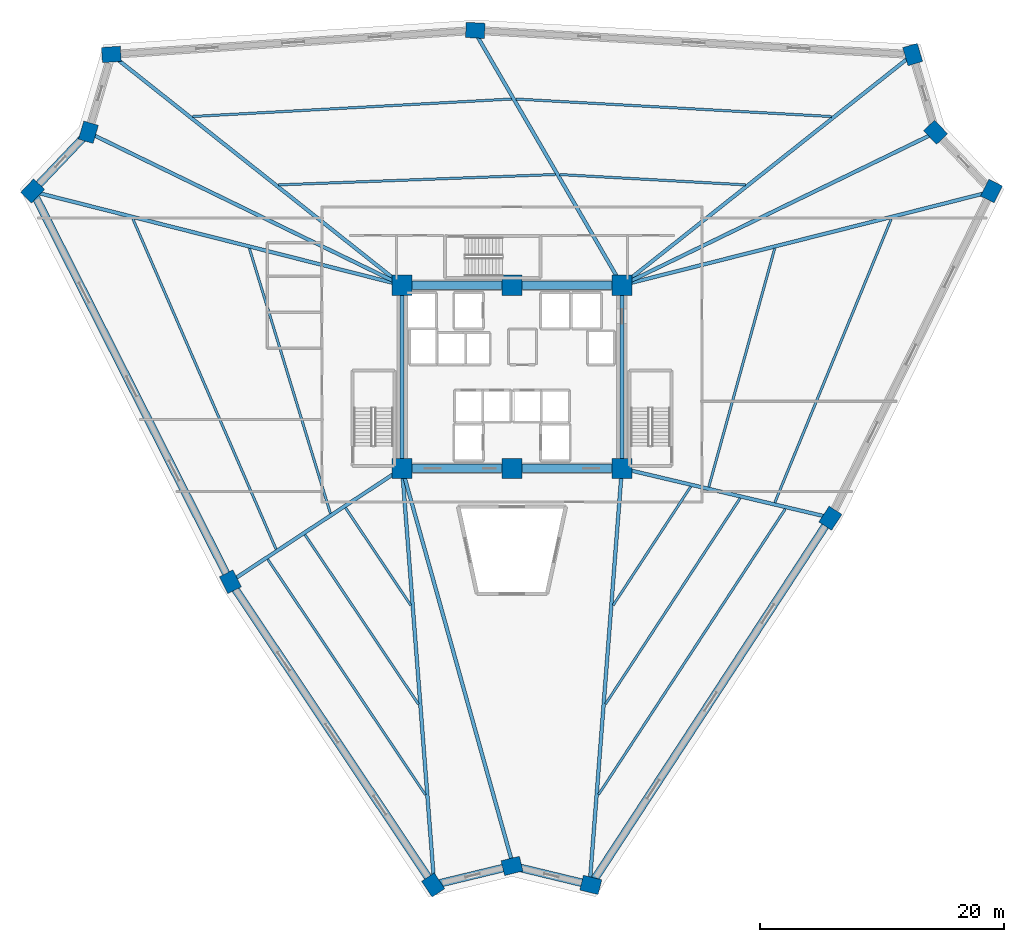
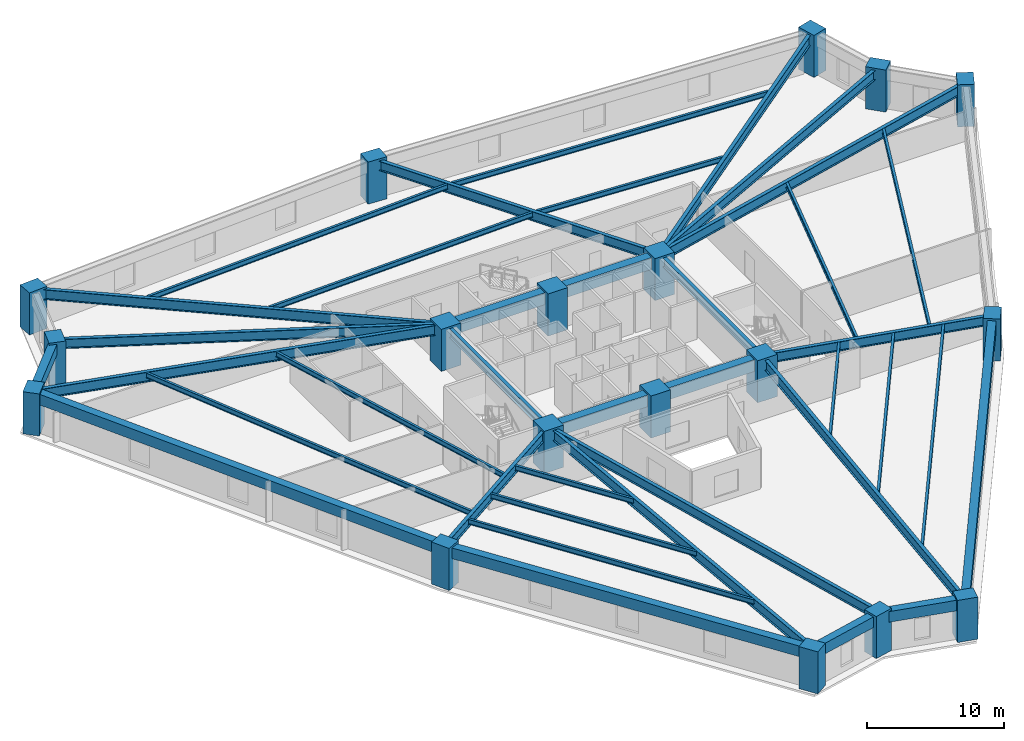
# One storey, part 1 of 8: 38 beams, 18 columns.
"""IFC4 building model written with IfcOpenShell, lengths in metres."""

import ifcopenshell
import ifcopenshell.guid

model = None  # the IFC model being written
_history = None  # IfcOwnerHistory: only IFC2X3 demands one
_inside = {}  # id of a spatial element -> (the spatial element, [elements in it])
_under = {}  # id of a project, library or spatial element -> (it, [spatial elements below it])
_declared = {}  # id of a project -> (the project, [libraries it declares])
_typed = {}  # id of a type object -> (the type object, [elements of that type])
_made_of = {}  # id of a material, layer set ... -> (it, [elements and type objects made of it])


def new_model(schema):
    """Start an empty IFC model of exactly this schema.

    Asked for "IFC4X3", IfcOpenShell would pick the latest addendum, in which some entities
    have other attributes; the version numbers below select the first issue.
    IFC2X3 requires an IfcOwnerHistory on every rooted entity: one is made here for all.
    """
    global model, _history
    if schema == "IFC4X3":
        model = ifcopenshell.file(schema_version=(4, 3, 0, 0))
    else:
        model = ifcopenshell.file(schema=schema)
    _inside.clear()
    _under.clear()
    _declared.clear()
    _typed.clear()
    _made_of.clear()
    _history = None
    if model.schema == "IFC2X3":
        org = make("IfcOrganization", Name="unknown")
        user = make(
            "IfcPersonAndOrganization",
            ThePerson=make("IfcPerson", FamilyName="unknown"),
            TheOrganization=org,
        )
        app = make(
            "IfcApplication",
            ApplicationDeveloper=org,
            Version="unknown",
            ApplicationFullName="unknown",
            ApplicationIdentifier="unknown",
        )
        _history = make(
            "IfcOwnerHistory",
            OwningUser=user,
            OwningApplication=app,
            ChangeAction="ADDED",
            CreationDate=0,
        )
    return model


def make(cls, **values):
    """One entity of the class cls with the attributes given. An attribute that is None is left unset."""
    return model.create_entity(
        cls, **{name: value for name, value in values.items() if value is not None}
    )


def rooted(cls, **values):
    """An entity with a GlobalId (a new one), such as an element, a storey or a relation."""
    return make(cls, GlobalId=ifcopenshell.guid.new(), OwnerHistory=_history, **values)


def si_unit(unit_type, name, prefix=None):
    """IfcSIUnit, for example si_unit("LENGTHUNIT", "METRE", prefix="MILLI")."""
    return make("IfcSIUnit", UnitType=unit_type, Prefix=prefix, Name=name)


def assignment(units):
    """IfcUnitAssignment: the units of a project."""
    return None if units is None else make("IfcUnitAssignment", Units=units)


def point(xyz):
    """IfcCartesianPoint."""
    return None if xyz is None else make("IfcCartesianPoint", Coordinates=xyz)


def direction(xyz):
    """IfcDirection."""
    return None if xyz is None else make("IfcDirection", DirectionRatios=xyz)


def frame(location, z_axis=None, x_axis=None):
    """IfcAxis2Placement3D, a coordinate frame: its origin and axes. An axis left out is left unset."""
    return make(
        "IfcAxis2Placement3D",
        Location=point(location),
        Axis=direction(z_axis),
        RefDirection=direction(x_axis),
    )


def frame_2d(location, x_axis=None):
    """IfcAxis2Placement2D, a coordinate frame in the plane: its origin and x axis."""
    return make(
        "IfcAxis2Placement2D", Location=point(location), RefDirection=direction(x_axis)
    )


def origin():
    """The frame at (0, 0, 0) with its axes left unset."""
    return frame((0.0, 0.0, 0.0))


def origin_2d():
    """The frame at (0, 0) in the plane with its x axis left unset."""
    return frame_2d((0.0, 0.0))


def place(relative_to, where):
    """IfcLocalPlacement: puts the frame where relative to a parent placement (None: the world)."""
    return make(
        "IfcLocalPlacement", PlacementRelTo=relative_to, RelativePlacement=where
    )


def context(
    kind, dimensions, precision=None, world=None, true_north=None, identifier=None
):
    """IfcGeometricRepresentationContext, for example the 3D "Model" context."""
    return make(
        "IfcGeometricRepresentationContext",
        ContextIdentifier=identifier,
        ContextType=kind,
        CoordinateSpaceDimension=dimensions,
        Precision=precision,
        WorldCoordinateSystem=world,
        TrueNorth=true_north,
    )


def subcontext(parent, identifier, kind, view, scale=None):
    """IfcGeometricRepresentationSubContext, for example "Body" below "Model"."""
    return make(
        "IfcGeometricRepresentationSubContext",
        ContextIdentifier=identifier,
        ContextType=kind,
        ParentContext=parent,
        TargetScale=scale,
        TargetView=view,
    )


def project(units=None, contexts=None):
    """IfcProject with its units and contexts."""
    return rooted(
        "IfcProject",
        Name="project",
        RepresentationContexts=contexts,
        UnitsInContext=assignment(units),
    )


def spatial(cls, under=None, at=None, **own):
    """A site, building, storey or space (cls), placed at a placement, below another one or the project."""
    s = rooted(cls, ObjectPlacement=at, **own)
    if under is not None:
        _under.setdefault(under.id(), (under, []))[1].append(s)
    return s


def profile(cls, at=None, kind="AREA", **sizes):
    """A parametric profile (cls). Its sizes go by their IFC names, for example OverallWidth=200.0."""
    return make(cls, ProfileType=kind, Position=at, **sizes)


def rectangle(**sizes):
    """IfcRectangleProfileDef."""
    return profile("IfcRectangleProfileDef", **sizes)


def i_section(**sizes):
    """IfcIShapeProfileDef."""
    return profile("IfcIShapeProfileDef", **sizes)


def extrude(swept, where, along, depth):
    """IfcExtrudedAreaSolid: the profile swept, set in the frame where, extruded along a direction by depth."""
    return make(
        "IfcExtrudedAreaSolid",
        SweptArea=swept,
        Position=where,
        ExtrudedDirection=direction(along),
        Depth=depth,
    )


def shape(context_of_items, identifier, shape_type, items):
    """IfcShapeRepresentation: the items that make up one representation, for example the "Body"."""
    return make(
        "IfcShapeRepresentation",
        ContextOfItems=context_of_items,
        RepresentationIdentifier=identifier,
        RepresentationType=shape_type,
        Items=items,
    )


def source(mapping_origin, context_of_items, identifier, shape_type, items):
    """IfcRepresentationMap: a shape defined once, which mapped items show again and again."""
    return make(
        "IfcRepresentationMap",
        MappingOrigin=mapping_origin,
        MappedRepresentation=shape(context_of_items, identifier, shape_type, items),
    )


def transform(
    local_origin,
    x_axis=None,
    y_axis=None,
    z_axis=None,
    scale=None,
    scale2=None,
    scale3=None,
    uniform=True,
):
    """IfcCartesianTransformationOperator3D, or its non-uniform kind. x_axis, y_axis, z_axis: its Axis1, 2, 3."""
    if uniform:
        return make(
            "IfcCartesianTransformationOperator3D",
            Axis1=direction(x_axis),
            Axis2=direction(y_axis),
            LocalOrigin=point(local_origin),
            Scale=scale,
            Axis3=direction(z_axis),
        )
    return make(
        "IfcCartesianTransformationOperator3DnonUniform",
        Axis1=direction(x_axis),
        Axis2=direction(y_axis),
        LocalOrigin=point(local_origin),
        Scale=scale,
        Axis3=direction(z_axis),
        Scale2=scale2,
        Scale3=scale3,
    )


def mapped(mapping_source, mapping_target):
    """IfcMappedItem: shows the shape of a source again, moved by a transform."""
    return make(
        "IfcMappedItem", MappingSource=mapping_source, MappingTarget=mapping_target
    )


def material(Name=None, Category=None):
    """IfcMaterial."""
    return make("IfcMaterial", Name=Name, Category=Category)


def material_profile(
    of_material, cross_section, Name=None, Category=None, Priority=None
):
    """IfcMaterialProfile: a cross section and its material."""
    return make(
        "IfcMaterialProfile",
        Name=Name,
        Material=of_material,
        Profile=cross_section,
        Priority=Priority,
        Category=Category,
    )


def profile_set(profiles, Name=None, composite=None):
    """IfcMaterialProfileSet."""
    return make(
        "IfcMaterialProfileSet",
        Name=Name,
        MaterialProfiles=profiles,
        CompositeProfile=composite,
    )


def made_of(thing, what):
    """Note that an element or type object is made of a material, layer set ...; save() writes the relation."""
    if what is not None:
        _made_of.setdefault(what.id(), (what, []))[1].append(thing)
    return thing


def type_object(cls, material=None, **own):
    """A type object (cls), such as IfcWallType, which elements share."""
    return made_of(rooted(cls, **own), material)


def element(
    cls,
    number,
    at=None,
    inside=None,
    cuts=None,
    type_object=None,
    material=None,
    context=None,
    identifier="Body",
    shape_type=None,
    held_by="IfcProductDefinitionShape",
    body=None,
    shapes=None,
    **own,
):
    """One element of the class cls, such as IfcWall. Its Tag is "e" and its number.

    at: its placement. inside: the storey or other place that contains it. cuts: it is an
    opening in that element (IfcRelVoidsElement). A single representation is given by context,
    identifier, shape_type and body (its items); several are given by shapes. held_by: the class
    of the entity that holds the representations. save() writes the other relations.
    """
    e = rooted(cls, Tag="e%d" % number, ObjectPlacement=at, **own)
    if body is not None:
        shapes = [shape(context, identifier, shape_type, body)]
    if shapes is not None:
        e.Representation = make(held_by, Representations=shapes)
    if inside is not None:
        _inside.setdefault(inside.id(), (inside, []))[1].append(e)
    if cuts is not None:
        rooted(
            "IfcRelVoidsElement", RelatingBuildingElement=cuts, RelatedOpeningElement=e
        )
    if type_object is not None:
        _typed.setdefault(type_object.id(), (type_object, []))[1].append(e)
    return made_of(e, material)


def aggregate(whole, parts):
    """IfcRelAggregates: a whole, such as a stair, and the parts it consists of."""
    return rooted("IfcRelAggregates", RelatingObject=whole, RelatedObjects=parts)


def save(model, path):
    """Write the relations noted so far, then the file.

    IfcRelAggregates (storeys below a building ...), IfcRelContainedInSpatialStructure (elements
    in a storey), IfcRelDefinesByType, IfcRelAssociatesMaterial and IfcRelDeclares: one each for
    every whole, place, type object, material and project.
    """
    for whole, parts in _under.values():
        aggregate(whole, parts)
    for where, things in _inside.values():
        rooted(
            "IfcRelContainedInSpatialStructure",
            RelatedElements=things,
            RelatingStructure=where,
        )
    for kind, things in _typed.values():
        rooted("IfcRelDefinesByType", RelatedObjects=things, RelatingType=kind)
    for what, things in _made_of.values():
        rooted("IfcRelAssociatesMaterial", RelatedObjects=things, RelatingMaterial=what)
    for by, libraries in _declared.values():
        rooted("IfcRelDeclares", RelatingContext=by, RelatedDefinitions=libraries)
    model.write(path)


model = new_model("IFC4")

# Units and contexts
model_context = context("Model", 3, precision=1e-05, world=origin(), true_north=direction((0.0, 1.0)))
body_context = subcontext(model_context, "Body", "Model", "MODEL_VIEW")
ifc_project = project(units=[si_unit("LENGTHUNIT", "METRE"), si_unit("AREAUNIT", "SQUARE_METRE"), si_unit("VOLUMEUNIT", "CUBIC_METRE"), si_unit("PLANEANGLEUNIT", "RADIAN"), si_unit("MASSUNIT", "GRAM", prefix="KILO")], contexts=[model_context])

# Site, building, storey
site_placement = place(None, origin())
site = spatial("IfcSite", under=ifc_project, at=site_placement, CompositionType="ELEMENT")
building_placement = place(site_placement, origin())
building = spatial("IfcBuilding", under=site, at=building_placement, Name="Liaohun Quay Tower", CompositionType="ELEMENT")
storey_placement = place(building_placement, frame((0.0, 0.0, 36.0)))
storey = spatial("IfcBuildingStorey", under=building, at=storey_placement, Name="L09", CompositionType="ELEMENT", Elevation=36.0)

# Columns
ifc_material_1 = material(Name="Concrete C60", Category="concrete")
ifc_material_profile_1 = material_profile(ifc_material_1, rectangle(XDim=1.64990234375, YDim=1.64990234375, at=origin_2d()), Name="RC1650x1650")
ifc_profile_set_1 = profile_set([ifc_material_profile_1], Name="Concrete C60")
column_type_1 = type_object("IfcColumnType", Name="COL-CC-Z1", PredefinedType="COLUMN", material=ifc_profile_set_1)
shared_shape_1 = source(origin(), body_context, "Body", "SweptSolid", [
    extrude(rectangle(XDim=1.64990234375, YDim=1.64990234375, at=origin_2d()), origin(), (0.0, 0.0, 1.0), 3.75),
])
for number, where, z_axis, x_axis, name in (
    (1, (51.0, 46.5, 0.0), (0.0, 0.0, 1.0), (1.0, 0.0, 0.0), "L09 Core Column CC1"),
    (2, (60.0, 46.5, 0.0), (0.0, 0.0, 1.0), (1.0, 0.0, 0.0), "L09 Core Column CC2"),
    (3, (69.0, 46.5, 0.0), (0.0, 0.0, 1.0), (1.0, 0.0, 0.0), "L09 Core Column CC3"),
    (4, (69.0, 61.5, 0.0), (0.0, 0.0, 1.0), (1.0, 0.0, 0.0), "L09 Core Column CC4"),
    (5, (60.0, 61.5, 0.0), (0.0, 0.0, 1.0), (1.0, 0.0, 0.0), "L09 Core Column CC5"),
    (6, (51.0, 61.5, 0.0), (0.0, 0.0, 1.0), (1.0, 0.0, 0.0), "L09 Core Column CC6"),
):
    element("IfcColumn", number, at=place(storey_placement, frame(where, z_axis=z_axis, x_axis=x_axis)), inside=storey, type_object=column_type_1, Name=name, PredefinedType="COLUMN", context=body_context, shape_type="MappedRepresentation", body=[
        mapped(shared_shape_1, transform((0.0, 0.0, 0.0), x_axis=(1.0, 0.0, 0.0), y_axis=(0.0, 1.0, 0.0), z_axis=(0.0, 0.0, 1.0), scale=1.0)),
    ])
ifc_material_profile_2 = material_profile(ifc_material_1, rectangle(XDim=1.550048828125, YDim=1.25, at=origin_2d()), Name="RC1550x1250")
ifc_profile_set_2 = profile_set([ifc_material_profile_2], Name="Concrete C60")
column_type_2 = type_object("IfcColumnType", Name="COL-PIER-Z1", PredefinedType="COLUMN", material=ifc_profile_set_2)
shared_shape_2 = source(origin(), body_context, "Body", "SweptSolid", [
    extrude(rectangle(XDim=1.550048828125, YDim=1.25, at=origin_2d()), origin(), (0.0, 0.0, 1.0), 3.75),
])
for number, where, z_axis, x_axis, name in (
    (7, (53.5458984375, 12.39697265625, 0.0), (0.0, 0.0, 1.0), (-0.556005513314, 0.831178602446, 0.0), "L09 Perimeter Pier PC01"),
    (8, (36.94091796875, 37.217041015625, 0.0), (0.0, 0.0, 1.0), (-0.451500573218, 0.892270829056, 0.0), "L09 Perimeter Pier PC02"),
    (9, (20.748046875, 69.217041015625, 0.0), (0.0, 0.0, 1.0), (0.68936671806, 0.724412539946, 0.0), "L09 Perimeter Pier PC03"),
    (10, (25.321044921875, 74.02197265625, 0.0), (0.0, 0.0, 1.0), (0.282676303383, 0.959215360337, 0.0), "L09 Perimeter Pier PC04"),
    (11, (27.198974609375, 80.39111328125, 0.0), (0.0, 0.0, 1.0), (0.997824541457, 0.065925597951, 0.0), "L09 Perimeter Pier PC05"),
    (12, (56.9951171875, 82.360107421875, 0.0), (0.0, 0.0, 1.0), (-0.998479491627, 0.055124448298, 0.0), "L09 Perimeter Pier PC06"),
    (13, (92.802978515625, 80.384033203125, 0.0), (0.0, 0.0, 1.0), (-0.282676303383, 0.959215360337, 0.0), "L09 Perimeter Pier PC07"),
    (14, (94.678955078125, 74.02197265625, 0.0), (0.0, 0.0, 1.0), (-0.68936671806, 0.724412539946, 0.0), "L09 Perimeter Pier PC08"),
    (15, (99.256103515625, 69.2119140625, 0.0), (0.0, 0.0, 1.0), (0.441819028143, 0.897104200397, 0.0), "L09 Perimeter Pier PC09"),
    (16, (86.06396484375, 42.423095703125, 0.0), (0.0, 0.0, 1.0), (0.546978918409, 0.837146380758, 0.0), "L09 Perimeter Pier PC10"),
    (17, (66.447998046875, 12.39892578125, 0.0), (0.0, 0.0, 1.0), (-0.972043021443, 0.234802820391, 0.0), "L09 Perimeter Pier PC11"),
    (18, (60.0, 13.9560546875, 0.0), (0.0, 0.0, 1.0), (0.972043021443, 0.234802820391, 0.0), "L09 Perimeter Pier PC12"),
):
    element("IfcColumn", number, at=place(storey_placement, frame(where, z_axis=z_axis, x_axis=x_axis)), inside=storey, type_object=column_type_2, Name=name, PredefinedType="COLUMN", context=body_context, shape_type="MappedRepresentation", body=[
        mapped(shared_shape_2, transform((0.0, 0.0, 0.0), x_axis=(1.0, 0.0, 0.0), y_axis=(0.0, 1.0, 0.0), z_axis=(0.0, 0.0, 1.0), scale=1.0)),
    ])

# Beams
ifc_material_profile_3 = material_profile(ifc_material_1, rectangle(XDim=0.699951171875, YDim=1.050048828125, at=origin_2d()), Name="RC700x1050")
ifc_profile_set_3 = profile_set([ifc_material_profile_3], Name="Concrete C60")
beam_type_1 = type_object("IfcBeamType", Name="BM-CPL-1", PredefinedType="LINTEL", material=ifc_profile_set_3)
shared_shape_3 = source(origin(), body_context, "Body", "SweptSolid", [
    extrude(rectangle(XDim=0.699951171875, YDim=1.050048828125, at=origin_2d()), origin(), (0.0, 0.0, 1.0), 9.0),
])
for number, where, z_axis, x_axis, name in (
    (19, (51.0, 46.5, 3.044921875), (1.0, 0.0, 0.0), (0.0, 1.0, 0.0), "L09 Core Coupling/Ring Beam CC1-CC2"),
    (20, (60.0, 46.5, 3.044921875), (1.0, 0.0, 0.0), (0.0, 1.0, 0.0), "L09 Core Coupling/Ring Beam CC2-CC3"),
    (21, (69.0, 61.5, 3.044921875), (-1.0, 0.0, 0.0), (0.0, -1.0, 0.0), "L09 Core Coupling/Ring Beam CC4-CC5"),
    (22, (60.0, 61.5, 3.044921875), (-1.0, 0.0, 0.0), (0.0, -1.0, 0.0), "L09 Core Coupling/Ring Beam CC5-CC6"),
):
    element("IfcBeam", number, at=place(storey_placement, frame(where, z_axis=z_axis, x_axis=x_axis)), inside=storey, type_object=beam_type_1, Name=name, PredefinedType="LINTEL", context=body_context, shape_type="MappedRepresentation", body=[
        mapped(shared_shape_3, transform((0.0, 0.0, 0.0), x_axis=(1.0, 0.0, 0.0), y_axis=(0.0, 1.0, 0.0), z_axis=(0.0, 0.0, 1.0), scale=1.0)),
    ])
ifc_material_2 = material(Name="Steel Q355D", Category="steel")
ifc_material_profile_4 = material_profile(ifc_material_2, i_section(OverallWidth=0.300048828125, OverallDepth=0.800048828125, WebThickness=0.013916015625, FlangeThickness=0.02587890625, at=origin_2d()), Name="HN800x300x14x26")
ifc_profile_set_4 = profile_set([ifc_material_profile_4], Name="Steel Q355D")
beam_type_2 = type_object("IfcBeamType", Name="BM-RAD-M1", PredefinedType="BEAM", material=ifc_profile_set_4)
shared_shape_4 = source(origin(), body_context, "Body", "SweptSolid", [
    extrude(i_section(OverallWidth=0.300048828125, OverallDepth=0.800048828125, WebThickness=0.013916015625, FlangeThickness=0.02587890625, at=origin_2d()), origin(), (0.0, 0.0, 1.0), 15.0),
])
for number, where, z_axis, x_axis, name in (
    (23, (69.0, 46.5, 3.169921875), (0.0, 1.0, 0.0), (-1.0, 0.0, 0.0), "L09 Core Coupling/Ring Beam CC3-CC4"),
    (24, (51.0, 61.5, 3.169921875), (0.0, -1.0, 0.0), (1.0, 0.0, 0.0), "L09 Core Coupling/Ring Beam CC6-CC1"),
):
    element("IfcBeam", number, at=place(storey_placement, frame(where, z_axis=z_axis, x_axis=x_axis)), inside=storey, type_object=beam_type_2, Name=name, PredefinedType="BEAM", context=body_context, shape_type="MappedRepresentation", body=[
        mapped(shared_shape_4, transform((0.0, 0.0, 0.0), x_axis=(1.0, 0.0, 0.0), y_axis=(0.0, 1.0, 0.0), z_axis=(0.0, 0.0, 1.0), scale=1.0)),
    ])
ifc_material_3 = material(Name="Precast concrete C55", Category="concrete")
ifc_material_profile_5 = material_profile(ifc_material_3, rectangle(XDim=0.64990234375, YDim=0.949951171875, at=origin_2d()), Name="RC650x950")
ifc_profile_set_5 = profile_set([ifc_material_profile_5], Name="Precast concrete C55")
beam_type_3 = type_object("IfcBeamType", Name="BM-SPD-Z1", PredefinedType="SPANDREL", material=ifc_profile_set_5)
shared_shape_5 = source(origin(), body_context, "Body", "SweptSolid", [
    extrude(rectangle(XDim=0.64990234375, YDim=0.949951171875, at=origin_2d()), origin(), (0.0, 0.0, 1.0), 29.8623046875),
])
beam_1_placement = place(storey_placement, frame((53.5458984375, 12.39697265625, 3.094970703125), z_axis=(-0.556050313847, 0.831148631997, 0.0), x_axis=(-0.831148631997, -0.556050313847, 0.0)))
element("IfcBeam", 25, at=beam_1_placement, inside=storey, type_object=beam_type_3, Name="L09 Precast Spandrel Beam PC01-PC02", PredefinedType="SPANDREL", context=body_context, shape_type="MappedRepresentation", body=[
    mapped(shared_shape_5, transform((0.0, 0.0, 0.0), x_axis=(1.0, 0.0, 0.0), y_axis=(0.0, 1.0, 0.0), z_axis=(0.0, 0.0, 1.0), scale=1.0)),
])
shared_shape_6 = source(origin(), body_context, "Body", "SweptSolid", [
    extrude(rectangle(XDim=0.64990234375, YDim=0.949951171875, at=origin_2d()), origin(), (0.0, 0.0, 1.0), 35.86376953125),
])
beam_2_placement = place(storey_placement, frame((36.94091796875, 37.217041015625, 3.094970703125), z_axis=(-0.451510728303, 0.892265690379, 0.0), x_axis=(-0.892265690379, -0.451510728303, 0.0)))
element("IfcBeam", 26, at=beam_2_placement, inside=storey, type_object=beam_type_3, Name="L09 Precast Spandrel Beam PC02-PC03", PredefinedType="SPANDREL", context=body_context, shape_type="MappedRepresentation", body=[
    mapped(shared_shape_6, transform((0.0, 0.0, 0.0), x_axis=(1.0, 0.0, 0.0), y_axis=(0.0, 1.0, 0.0), z_axis=(0.0, 0.0, 1.0), scale=1.0)),
])
shared_shape_7 = source(origin(), body_context, "Body", "SweptSolid", [
    extrude(rectangle(XDim=0.64990234375, YDim=0.949951171875, at=origin_2d()), origin(), (0.0, 0.0, 1.0), 6.63330078125),
])
for number, where, z_axis, x_axis, name in (
    (27, (20.748046875, 69.217041015625, 3.094970703125), (0.689407908081, 0.724373340395, 0.0), (-0.724373340395, 0.689407908081, 0.0), "L09 Precast Spandrel Beam PC03-PC04"),
    (28, (66.447998046875, 12.39892578125, 3.094970703125), (-0.97205759762, 0.234742469335, 0.0), (-0.234742469335, -0.97205759762, 0.0), "L09 Precast Spandrel Beam PC11-PC12"),
):
    element("IfcBeam", number, at=place(storey_placement, frame(where, z_axis=z_axis, x_axis=x_axis)), inside=storey, type_object=beam_type_3, Name=name, PredefinedType="SPANDREL", context=body_context, shape_type="MappedRepresentation", body=[
        mapped(shared_shape_7, transform((0.0, 0.0, 0.0), x_axis=(1.0, 0.0, 0.0), y_axis=(0.0, 1.0, 0.0), z_axis=(0.0, 0.0, 1.0), scale=1.0)),
    ])
shared_shape_8 = source(origin(), body_context, "Body", "SweptSolid", [
    extrude(rectangle(XDim=0.64990234375, YDim=0.949951171875, at=origin_2d()), origin(), (0.0, 0.0, 1.0), 35.8642578125),
])
beam_3_placement = place(storey_placement, frame((86.06396484375, 42.423095703125, 3.094970703125), z_axis=(-0.546952019075, -0.837163955764, 0.0), x_axis=(0.837163955764, -0.546952019075, 0.0)))
element("IfcBeam", 29, at=beam_3_placement, inside=storey, type_object=beam_type_3, Name="L09 Precast Spandrel Beam PC10-PC11", PredefinedType="SPANDREL", context=body_context, shape_type="MappedRepresentation", body=[
    mapped(shared_shape_8, transform((0.0, 0.0, 0.0), x_axis=(1.0, 0.0, 0.0), y_axis=(0.0, 1.0, 0.0), z_axis=(0.0, 0.0, 1.0), scale=1.0)),
])
shared_shape_9 = source(origin(), body_context, "Body", "SweptSolid", [
    extrude(rectangle(XDim=0.64990234375, YDim=0.949951171875, at=origin_2d()), origin(), (0.0, 0.0, 1.0), 6.6396484375),
])
beam_4_placement = place(storey_placement, frame((60.0, 13.9560546875, 3.094970703125), z_axis=(-0.972041127414, -0.234810661207, 0.0), x_axis=(0.234810661207, -0.972041127414, 0.0)))
element("IfcBeam", 30, at=beam_4_placement, inside=storey, type_object=beam_type_3, Name="L09 Precast Spandrel Beam PC12-PC01", PredefinedType="SPANDREL", context=body_context, shape_type="MappedRepresentation", body=[
    mapped(shared_shape_9, transform((0.0, 0.0, 0.0), x_axis=(1.0, 0.0, 0.0), y_axis=(0.0, 1.0, 0.0), z_axis=(0.0, 0.0, 1.0), scale=1.0)),
])
ifc_material_4 = material(Name="Steel Q420D", Category="steel")
ifc_material_profile_6 = material_profile(ifc_material_4, i_section(OverallWidth=0.300048828125, OverallDepth=0.89990234375, WebThickness=0.01611328125, FlangeThickness=0.028076171875, at=origin_2d()), Name="HN900x300x16x28")
ifc_profile_set_6 = profile_set([ifc_material_profile_6], Name="Steel Q420D")
beam_type_4 = type_object("IfcBeamType", Name="BM-RAD-H1", PredefinedType="BEAM", material=ifc_profile_set_6)
shared_shape_10 = source(origin(), body_context, "Body", "SweptSolid", [
    extrude(i_section(OverallWidth=0.300048828125, OverallDepth=0.89990234375, WebThickness=0.01611328125, FlangeThickness=0.028076171875, at=origin_2d()), origin(), (0.0, 0.0, 1.0), 33.820556640625),
])
beam_5_placement = place(storey_placement, frame((51.0, 46.5, 3.1201171875), z_axis=(0.07708124974, -0.997024814605, 0.0), x_axis=(0.997024814605, 0.07708124974, 0.0)))
element("IfcBeam", 31, at=beam_5_placement, inside=storey, type_object=beam_type_4, Name="L09 Radial Primary Girder CC1-PC01", PredefinedType="BEAM", context=body_context, shape_type="MappedRepresentation", body=[
    mapped(shared_shape_10, transform((0.0, 0.0, 0.0), x_axis=(1.0, 0.0, 0.0), y_axis=(0.0, 1.0, 0.0), z_axis=(0.0, 0.0, 1.0), scale=1.0)),
])
ifc_material_profile_7 = material_profile(ifc_material_2, i_section(OverallWidth=0.300048828125, OverallDepth=0.85009765625, WebThickness=0.01611328125, FlangeThickness=0.028076171875, at=origin_2d()), Name="HN850x300x16x28")
ifc_profile_set_7 = profile_set([ifc_material_profile_7], Name="Steel Q355D")
beam_type_5 = type_object("IfcBeamType", Name="BM-RAD-H2", PredefinedType="BEAM", material=ifc_profile_set_7)
shared_shape_11 = source(origin(), body_context, "Body", "SweptSolid", [
    extrude(i_section(OverallWidth=0.300048828125, OverallDepth=0.85009765625, WebThickness=0.01611328125, FlangeThickness=0.028076171875, at=origin_2d()), origin(), (0.0, 0.0, 1.0), 16.59619140625),
])
beam_6_placement = place(storey_placement, frame((51.0, 46.5, 3.14501953125), z_axis=(-0.83488415152, -0.550425702108, 0.0), x_axis=(0.550425702108, -0.83488415152, 0.0)))
element("IfcBeam", 32, at=beam_6_placement, inside=storey, type_object=beam_type_5, Name="L09 Radial Primary Girder CC1-PC02", PredefinedType="BEAM", context=body_context, shape_type="MappedRepresentation", body=[
    mapped(shared_shape_11, transform((0.0, 0.0, 0.0), x_axis=(1.0, 0.0, 0.0), y_axis=(0.0, 1.0, 0.0), z_axis=(0.0, 0.0, 1.0), scale=1.0)),
])
shared_shape_12 = source(origin(), body_context, "Body", "SweptSolid", [
    extrude(i_section(OverallWidth=0.300048828125, OverallDepth=0.89990234375, WebThickness=0.01611328125, FlangeThickness=0.028076171875, at=origin_2d()), origin(), (0.0, 0.0, 1.0), 30.83447265625),
])
beam_7_placement = place(storey_placement, frame((51.0, 61.5, 3.1201171875), z_axis=(-0.969330926687, 0.245759139338, 0.0), x_axis=(-0.245759139338, -0.969330926687, 0.0)))
element("IfcBeam", 33, at=beam_7_placement, inside=storey, type_object=beam_type_4, Name="L09 Radial Primary Girder CC6-PC03", PredefinedType="BEAM", context=body_context, shape_type="MappedRepresentation", body=[
    mapped(shared_shape_12, transform((0.0, 0.0, 0.0), x_axis=(1.0, 0.0, 0.0), y_axis=(0.0, 1.0, 0.0), z_axis=(0.0, 0.0, 1.0), scale=1.0)),
])
shared_shape_13 = source(origin(), body_context, "Body", "SweptSolid", [
    extrude(i_section(OverallWidth=0.300048828125, OverallDepth=0.85009765625, WebThickness=0.01611328125, FlangeThickness=0.028076171875, at=origin_2d()), origin(), (0.0, 0.0, 1.0), 28.2021484375),
])
for number, where, z_axis, x_axis, name in (
    (34, (51.0, 61.5, 3.14501953125), (-0.899227541375, 0.437481232548, 0.0), (-0.437481232548, -0.899227541375, 0.0), "L09 Radial Primary Girder CC6-PC04"),
    (35, (69.0, 61.5, 3.14501953125), (0.899227541375, 0.437481232548, 0.0), (-0.437481232548, 0.899227541375, 0.0), "L09 Radial Primary Girder CC4-PC08"),
):
    element("IfcBeam", number, at=place(storey_placement, frame(where, z_axis=z_axis, x_axis=x_axis)), inside=storey, type_object=beam_type_5, Name=name, PredefinedType="BEAM", context=body_context, shape_type="MappedRepresentation", body=[
        mapped(shared_shape_13, transform((0.0, 0.0, 0.0), x_axis=(1.0, 0.0, 0.0), y_axis=(0.0, 1.0, 0.0), z_axis=(0.0, 0.0, 1.0), scale=1.0)),
    ])
shared_shape_14 = source(origin(), body_context, "Body", "SweptSolid", [
    extrude(i_section(OverallWidth=0.300048828125, OverallDepth=0.89990234375, WebThickness=0.01611328125, FlangeThickness=0.028076171875, at=origin_2d()), origin(), (0.0, 0.0, 1.0), 29.998779296875),
])
beam_8_placement = place(storey_placement, frame((51.0, 61.5, 3.1201171875), z_axis=(-0.783366770609, 0.621559733819, 0.0), x_axis=(-0.621559733819, -0.783366770609, 0.0)))
element("IfcBeam", 36, at=beam_8_placement, inside=storey, type_object=beam_type_4, Name="L09 Radial Primary Girder CC6-PC05", PredefinedType="BEAM", context=body_context, shape_type="MappedRepresentation", body=[
    mapped(shared_shape_14, transform((0.0, 0.0, 0.0), x_axis=(1.0, 0.0, 0.0), y_axis=(0.0, 1.0, 0.0), z_axis=(0.0, 0.0, 1.0), scale=1.0)),
])
shared_shape_15 = source(origin(), body_context, "Body", "SweptSolid", [
    extrude(i_section(OverallWidth=0.300048828125, OverallDepth=0.85009765625, WebThickness=0.01611328125, FlangeThickness=0.028076171875, at=origin_2d()), origin(), (0.0, 0.0, 1.0), 23.8388671875),
])
beam_9_placement = place(storey_placement, frame((69.0, 61.5, 3.14501953125), z_axis=(-0.502458645143, 0.864601243303, 0.0), x_axis=(-0.864601243303, -0.502458645143, 0.0)))
element("IfcBeam", 37, at=beam_9_placement, inside=storey, type_object=beam_type_5, Name="L09 Radial Primary Girder CC4-PC06", PredefinedType="BEAM", context=body_context, shape_type="MappedRepresentation", body=[
    mapped(shared_shape_15, transform((0.0, 0.0, 0.0), x_axis=(1.0, 0.0, 0.0), y_axis=(0.0, 1.0, 0.0), z_axis=(0.0, 0.0, 1.0), scale=1.0)),
])
shared_shape_16 = source(origin(), body_context, "Body", "SweptSolid", [
    extrude(i_section(OverallWidth=0.300048828125, OverallDepth=0.89990234375, WebThickness=0.01611328125, FlangeThickness=0.028076171875, at=origin_2d()), origin(), (0.0, 0.0, 1.0), 29.996337890625),
])
beam_10_placement = place(storey_placement, frame((69.0, 61.5, 3.1201171875), z_axis=(0.783490983692, 0.621403152932, 0.0), x_axis=(-0.621403152932, 0.783490983692, 0.0)))
element("IfcBeam", 38, at=beam_10_placement, inside=storey, type_object=beam_type_4, Name="L09 Radial Primary Girder CC4-PC07", PredefinedType="BEAM", context=body_context, shape_type="MappedRepresentation", body=[
    mapped(shared_shape_16, transform((0.0, 0.0, 0.0), x_axis=(1.0, 0.0, 0.0), y_axis=(0.0, 1.0, 0.0), z_axis=(0.0, 0.0, 1.0), scale=1.0)),
])
shared_shape_17 = source(origin(), body_context, "Body", "SweptSolid", [
    extrude(i_section(OverallWidth=0.300048828125, OverallDepth=0.89990234375, WebThickness=0.01611328125, FlangeThickness=0.028076171875, at=origin_2d()), origin(), (0.0, 0.0, 1.0), 30.83837890625),
])
beam_11_placement = place(storey_placement, frame((69.0, 61.5, 3.1201171875), z_axis=(0.969378668663, 0.245570757095, 0.0), x_axis=(-0.245570757095, 0.969378668663, 0.0)))
element("IfcBeam", 39, at=beam_11_placement, inside=storey, type_object=beam_type_4, Name="L09 Radial Primary Girder CC4-PC09", PredefinedType="BEAM", context=body_context, shape_type="MappedRepresentation", body=[
    mapped(shared_shape_17, transform((0.0, 0.0, 0.0), x_axis=(1.0, 0.0, 0.0), y_axis=(0.0, 1.0, 0.0), z_axis=(0.0, 0.0, 1.0), scale=1.0)),
])
shared_shape_18 = source(origin(), body_context, "Body", "SweptSolid", [
    extrude(i_section(OverallWidth=0.300048828125, OverallDepth=0.85009765625, WebThickness=0.01611328125, FlangeThickness=0.028076171875, at=origin_2d()), origin(), (0.0, 0.0, 1.0), 17.297119140625),
])
beam_12_placement = place(storey_placement, frame((69.0, 46.5, 3.14501953125), z_axis=(0.973221711386, -0.229868441693, 0.0), x_axis=(0.229868441693, 0.973221711386, 0.0)))
element("IfcBeam", 40, at=beam_12_placement, inside=storey, type_object=beam_type_5, Name="L09 Radial Primary Girder CC3-PC10", PredefinedType="BEAM", context=body_context, shape_type="MappedRepresentation", body=[
    mapped(shared_shape_18, transform((0.0, 0.0, 0.0), x_axis=(1.0, 0.0, 0.0), y_axis=(0.0, 1.0, 0.0), z_axis=(0.0, 0.0, 1.0), scale=1.0)),
])
shared_shape_19 = source(origin(), body_context, "Body", "SweptSolid", [
    extrude(i_section(OverallWidth=0.300048828125, OverallDepth=0.89990234375, WebThickness=0.01611328125, FlangeThickness=0.028076171875, at=origin_2d()), origin(), (0.0, 0.0, 1.0), 33.819091796875),
])
beam_13_placement = place(storey_placement, frame((69.0, 46.5, 3.1201171875), z_axis=(-0.077265089802, -0.997010584647, 0.0), x_axis=(0.997010584647, -0.077265089802, 0.0)))
element("IfcBeam", 41, at=beam_13_placement, inside=storey, type_object=beam_type_4, Name="L09 Radial Primary Girder CC3-PC11", PredefinedType="BEAM", context=body_context, shape_type="MappedRepresentation", body=[
    mapped(shared_shape_19, transform((0.0, 0.0, 0.0), x_axis=(1.0, 0.0, 0.0), y_axis=(0.0, 1.0, 0.0), z_axis=(0.0, 0.0, 1.0), scale=1.0)),
])
shared_shape_20 = source(origin(), body_context, "Body", "SweptSolid", [
    extrude(i_section(OverallWidth=0.300048828125, OverallDepth=0.85009765625, WebThickness=0.01611328125, FlangeThickness=0.028076171875, at=origin_2d()), origin(), (0.0, 0.0, 1.0), 33.4111328125),
])
beam_14_placement = place(storey_placement, frame((51.0, 46.5, 3.14501953125), z_axis=(0.269372158618, -0.963036157245, 0.0), x_axis=(0.963036157245, 0.269372158618, 0.0)))
element("IfcBeam", 42, at=beam_14_placement, inside=storey, type_object=beam_type_5, Name="L09 Radial Primary Girder CC1-PC12", PredefinedType="BEAM", context=body_context, shape_type="MappedRepresentation", body=[
    mapped(shared_shape_20, transform((0.0, 0.0, 0.0), x_axis=(1.0, 0.0, 0.0), y_axis=(0.0, 1.0, 0.0), z_axis=(0.0, 0.0, 1.0), scale=1.0)),
])
ifc_material_profile_8 = material_profile(ifc_material_2, i_section(OverallWidth=0.199951171875, OverallDepth=0.449951171875, WebThickness=0.009033203125, FlangeThickness=0.013916015625, at=origin_2d()), Name="HN450x200x9x14")
ifc_profile_set_8 = profile_set([ifc_material_profile_8], Name="Steel Q355D")
beam_type_6 = type_object("IfcBeamType", Name="BM-SEC-J1", PredefinedType="JOIST", material=ifc_profile_set_8)
shared_shape_21 = source(origin(), body_context, "Body", "SweptSolid", [
    extrude(i_section(OverallWidth=0.199951171875, OverallDepth=0.449951171875, WebThickness=0.009033203125, FlangeThickness=0.013916015625, at=origin_2d()), origin(), (0.0, 0.0, 1.0), 9.60400390625),
])
beam_15_placement = place(storey_placement, frame((51.716064453125, 35.2890625, 3.344970703125), z_axis=(-0.556429546569, 0.830894794607, 0.0), x_axis=(-0.830894794607, -0.556429546569, 0.0)))
element("IfcBeam", 43, at=beam_15_placement, inside=storey, type_object=beam_type_6, Name="L09 Wing Secondary Floor Joist SJ-01", PredefinedType="JOIST", context=body_context, shape_type="MappedRepresentation", body=[
    mapped(shared_shape_21, transform((0.0, 0.0, 0.0), x_axis=(1.0, 0.0, 0.0), y_axis=(0.0, 1.0, 0.0), z_axis=(0.0, 0.0, 1.0), scale=1.0)),
])
shared_shape_22 = source(origin(), body_context, "Body", "SweptSolid", [
    extrude(i_section(OverallWidth=0.199951171875, OverallDepth=0.449951171875, WebThickness=0.009033203125, FlangeThickness=0.013916015625, at=origin_2d()), origin(), (0.0, 0.0, 1.0), 16.70556640625),
])
beam_16_placement = place(storey_placement, frame((52.342041015625, 27.196044921875, 3.344970703125), z_axis=(-0.556398803966, 0.830915381338, 0.0), x_axis=(-0.830915381338, -0.556398803966, 0.0)))
element("IfcBeam", 44, at=beam_16_placement, inside=storey, type_object=beam_type_6, Name="L09 Wing Secondary Floor Joist SJ-02", PredefinedType="JOIST", context=body_context, shape_type="MappedRepresentation", body=[
    mapped(shared_shape_22, transform((0.0, 0.0, 0.0), x_axis=(1.0, 0.0, 0.0), y_axis=(0.0, 1.0, 0.0), z_axis=(0.0, 0.0, 1.0), scale=1.0)),
])
shared_shape_23 = source(origin(), body_context, "Body", "SweptSolid", [
    extrude(i_section(OverallWidth=0.199951171875, OverallDepth=0.449951171875, WebThickness=0.009033203125, FlangeThickness=0.013916015625, at=origin_2d()), origin(), (0.0, 0.0, 1.0), 23.21435546875),
])
beam_17_placement = place(storey_placement, frame((52.916015625, 19.778076171875, 3.344970703125), z_axis=(-0.556422141739, 0.83089975339, 0.0), x_axis=(-0.83089975339, -0.556422141739, 0.0)))
element("IfcBeam", 45, at=beam_17_placement, inside=storey, type_object=beam_type_6, Name="L09 Wing Secondary Floor Joist SJ-03", PredefinedType="JOIST", context=body_context, shape_type="MappedRepresentation", body=[
    mapped(shared_shape_23, transform((0.0, 0.0, 0.0), x_axis=(1.0, 0.0, 0.0), y_axis=(0.0, 1.0, 0.0), z_axis=(0.0, 0.0, 1.0), scale=1.0)),
])
shared_shape_24 = source(origin(), body_context, "Body", "SweptSolid", [
    extrude(i_section(OverallWidth=0.199951171875, OverallDepth=0.449951171875, WebThickness=0.009033203125, FlangeThickness=0.013916015625, at=origin_2d()), origin(), (0.0, 0.0, 1.0), 22.694091796875),
])
beam_18_placement = place(storey_placement, frame((45.135009765625, 42.81298828125, 3.344970703125), z_axis=(-0.292453302419, 0.956279805237, 0.0), x_axis=(-0.956279805237, -0.292453302419, 0.0)))
element("IfcBeam", 46, at=beam_18_placement, inside=storey, type_object=beam_type_6, Name="L09 Wing Secondary Floor Joist SJ-04", PredefinedType="JOIST", context=body_context, shape_type="MappedRepresentation", body=[
    mapped(shared_shape_24, transform((0.0, 0.0, 0.0), x_axis=(1.0, 0.0, 0.0), y_axis=(0.0, 1.0, 0.0), z_axis=(0.0, 0.0, 1.0), scale=1.0)),
])
shared_shape_25 = source(origin(), body_context, "Body", "SweptSolid", [
    extrude(i_section(OverallWidth=0.199951171875, OverallDepth=0.449951171875, WebThickness=0.009033203125, FlangeThickness=0.013916015625, at=origin_2d()), origin(), (0.0, 0.0, 1.0), 29.48681640625),
])
beam_19_placement = place(storey_placement, frame((40.68603515625, 39.8798828125, 3.344970703125), z_axis=(-0.397737088561, 0.917499432361, 0.0), x_axis=(-0.917499432361, -0.397737088561, 0.0)))
element("IfcBeam", 47, at=beam_19_placement, inside=storey, type_object=beam_type_6, Name="L09 Wing Secondary Floor Joist SJ-05", PredefinedType="JOIST", context=body_context, shape_type="MappedRepresentation", body=[
    mapped(shared_shape_25, transform((0.0, 0.0, 0.0), x_axis=(1.0, 0.0, 0.0), y_axis=(0.0, 1.0, 0.0), z_axis=(0.0, 0.0, 1.0), scale=1.0)),
])
shared_shape_26 = source(origin(), body_context, "Body", "SweptSolid", [
    extrude(i_section(OverallWidth=0.199951171875, OverallDepth=0.449951171875, WebThickness=0.009033203125, FlangeThickness=0.013916015625, at=origin_2d()), origin(), (0.0, 0.0, 1.0), 22.68603515625),
])
beam_20_placement = place(storey_placement, frame((40.889892578125, 69.712890625, 3.344970703125), z_axis=(0.99929928212, 0.037429196541, 0.0), x_axis=(-0.037429196541, 0.99929928212, 0.0)))
element("IfcBeam", 48, at=beam_20_placement, inside=storey, type_object=beam_type_6, Name="L09 Wing Secondary Floor Joist SJ-06", PredefinedType="JOIST", context=body_context, shape_type="MappedRepresentation", body=[
    mapped(shared_shape_26, transform((0.0, 0.0, 0.0), x_axis=(1.0, 0.0, 0.0), y_axis=(0.0, 1.0, 0.0), z_axis=(0.0, 0.0, 1.0), scale=1.0)),
])
shared_shape_27 = source(origin(), body_context, "Body", "SweptSolid", [
    extrude(i_section(OverallWidth=0.199951171875, OverallDepth=0.449951171875, WebThickness=0.009033203125, FlangeThickness=0.013916015625, at=origin_2d()), origin(), (0.0, 0.0, 1.0), 26.17138671875),
])
beam_21_placement = place(storey_placement, frame((33.8359375, 75.31005859375, 3.344970703125), z_axis=(0.998500134085, 0.054749266954, 0.0), x_axis=(-0.054749266954, 0.998500134085, 0.0)))
element("IfcBeam", 49, at=beam_21_placement, inside=storey, type_object=beam_type_6, Name="L09 Wing Secondary Floor Joist SJ-07", PredefinedType="JOIST", context=body_context, shape_type="MappedRepresentation", body=[
    mapped(shared_shape_27, transform((0.0, 0.0, 0.0), x_axis=(1.0, 0.0, 0.0), y_axis=(0.0, 1.0, 0.0), z_axis=(0.0, 0.0, 1.0), scale=1.0)),
])
shared_shape_28 = source(origin(), body_context, "Body", "SweptSolid", [
    extrude(i_section(OverallWidth=0.199951171875, OverallDepth=0.449951171875, WebThickness=0.009033203125, FlangeThickness=0.013916015625, at=origin_2d()), origin(), (0.0, 0.0, 1.0), 15.2294921875),
])
beam_22_placement = place(storey_placement, frame((63.908935546875, 70.55908203125, 3.344970703125), z_axis=(0.998459662572, -0.05548244962, 0.0), x_axis=(0.05548244962, 0.998459662572, 0.0)))
element("IfcBeam", 50, at=beam_22_placement, inside=storey, type_object=beam_type_6, Name="L09 Wing Secondary Floor Joist SJ-08", PredefinedType="JOIST", context=body_context, shape_type="MappedRepresentation", body=[
    mapped(shared_shape_28, transform((0.0, 0.0, 0.0), x_axis=(1.0, 0.0, 0.0), y_axis=(0.0, 1.0, 0.0), z_axis=(0.0, 0.0, 1.0), scale=1.0)),
])
shared_shape_29 = source(origin(), body_context, "Body", "SweptSolid", [
    extrude(i_section(OverallWidth=0.199951171875, OverallDepth=0.449951171875, WebThickness=0.009033203125, FlangeThickness=0.013916015625, at=origin_2d()), origin(), (0.0, 0.0, 1.0), 25.889892578125),
])
beam_23_placement = place(storey_placement, frame((60.31591796875, 76.741943359375, 3.344970703125), z_axis=(0.998460527292, -0.055466885982, 0.0), x_axis=(0.055466885982, 0.998460527292, 0.0)))
element("IfcBeam", 51, at=beam_23_placement, inside=storey, type_object=beam_type_6, Name="L09 Wing Secondary Floor Joist SJ-09", PredefinedType="JOIST", context=body_context, shape_type="MappedRepresentation", body=[
    mapped(shared_shape_29, transform((0.0, 0.0, 0.0), x_axis=(1.0, 0.0, 0.0), y_axis=(0.0, 1.0, 0.0), z_axis=(0.0, 0.0, 1.0), scale=1.0)),
])
shared_shape_30 = source(origin(), body_context, "Body", "SweptSolid", [
    extrude(i_section(OverallWidth=0.199951171875, OverallDepth=0.449951171875, WebThickness=0.009033203125, FlangeThickness=0.013916015625, at=origin_2d()), origin(), (0.0, 0.0, 1.0), 20.271240234375),
])
beam_24_placement = place(storey_placement, frame((81.510009765625, 64.513916015625, 3.344970703125), z_axis=(-0.266382050556, -0.963867523647, 0.0), x_axis=(0.963867523647, -0.266382050556, 0.0)))
element("IfcBeam", 52, at=beam_24_placement, inside=storey, type_object=beam_type_6, Name="L09 Wing Secondary Floor Joist SJ-10", PredefinedType="JOIST", context=body_context, shape_type="MappedRepresentation", body=[
    mapped(shared_shape_30, transform((0.0, 0.0, 0.0), x_axis=(1.0, 0.0, 0.0), y_axis=(0.0, 1.0, 0.0), z_axis=(0.0, 0.0, 1.0), scale=1.0)),
])
shared_shape_31 = source(origin(), body_context, "Body", "SweptSolid", [
    extrude(i_section(OverallWidth=0.199951171875, OverallDepth=0.449951171875, WebThickness=0.009033203125, FlangeThickness=0.013916015625, at=origin_2d()), origin(), (0.0, 0.0, 1.0), 25.11376953125),
])
beam_25_placement = place(storey_placement, frame((91.051025390625, 66.930908203125, 3.344970703125), z_axis=(-0.379715940496, -0.925103131836, 0.0), x_axis=(0.925103131836, -0.379715940496, 0.0)))
element("IfcBeam", 53, at=beam_25_placement, inside=storey, type_object=beam_type_6, Name="L09 Wing Secondary Floor Joist SJ-11", PredefinedType="JOIST", context=body_context, shape_type="MappedRepresentation", body=[
    mapped(shared_shape_31, transform((0.0, 0.0, 0.0), x_axis=(1.0, 0.0, 0.0), y_axis=(0.0, 1.0, 0.0), z_axis=(0.0, 0.0, 1.0), scale=1.0)),
])
shared_shape_32 = source(origin(), body_context, "Body", "SweptSolid", [
    extrude(i_section(OverallWidth=0.199951171875, OverallDepth=0.449951171875, WebThickness=0.009033203125, FlangeThickness=0.013916015625, at=origin_2d()), origin(), (0.0, 0.0, 1.0), 11.610595703125),
])
beam_26_placement = place(storey_placement, frame((74.635986328125, 45.014892578125, 3.344970703125), z_axis=(-0.547253895262, -0.836966650542, 0.0), x_axis=(0.836966650542, -0.547253895262, 0.0)))
element("IfcBeam", 54, at=beam_26_placement, inside=storey, type_object=beam_type_6, Name="L09 Wing Secondary Floor Joist SJ-12", PredefinedType="JOIST", context=body_context, shape_type="MappedRepresentation", body=[
    mapped(shared_shape_32, transform((0.0, 0.0, 0.0), x_axis=(1.0, 0.0, 0.0), y_axis=(0.0, 1.0, 0.0), z_axis=(0.0, 0.0, 1.0), scale=1.0)),
])
shared_shape_33 = source(origin(), body_context, "Body", "SweptSolid", [
    extrude(i_section(OverallWidth=0.199951171875, OverallDepth=0.449951171875, WebThickness=0.009033203125, FlangeThickness=0.013916015625, at=origin_2d()), origin(), (0.0, 0.0, 1.0), 20.138427734375),
])
beam_27_placement = place(storey_placement, frame((78.676025390625, 44.06005859375, 3.344970703125), z_axis=(-0.547264388094, -0.83695978967, 0.0), x_axis=(0.83695978967, -0.547264388094, 0.0)))
element("IfcBeam", 55, at=beam_27_placement, inside=storey, type_object=beam_type_6, Name="L09 Wing Secondary Floor Joist SJ-13", PredefinedType="JOIST", context=body_context, shape_type="MappedRepresentation", body=[
    mapped(shared_shape_33, transform((0.0, 0.0, 0.0), x_axis=(1.0, 0.0, 0.0), y_axis=(0.0, 1.0, 0.0), z_axis=(0.0, 0.0, 1.0), scale=1.0)),
])
shared_shape_34 = source(origin(), body_context, "Body", "SweptSolid", [
    extrude(i_section(OverallWidth=0.199951171875, OverallDepth=0.449951171875, WebThickness=0.009033203125, FlangeThickness=0.013916015625, at=origin_2d()), origin(), (0.0, 0.0, 1.0), 27.95703125),
])
beam_28_placement = place(storey_placement, frame((82.3798828125, 43.18603515625, 3.344970703125), z_axis=(-0.547262068348, -0.836961306482, 0.0), x_axis=(0.836961306482, -0.547262068348, 0.0)))
element("IfcBeam", 56, at=beam_28_placement, inside=storey, type_object=beam_type_6, Name="L09 Wing Secondary Floor Joist SJ-14", PredefinedType="JOIST", context=body_context, shape_type="MappedRepresentation", body=[
    mapped(shared_shape_34, transform((0.0, 0.0, 0.0), x_axis=(1.0, 0.0, 0.0), y_axis=(0.0, 1.0, 0.0), z_axis=(0.0, 0.0, 1.0), scale=1.0)),
])

save(model, "model.ifc")
